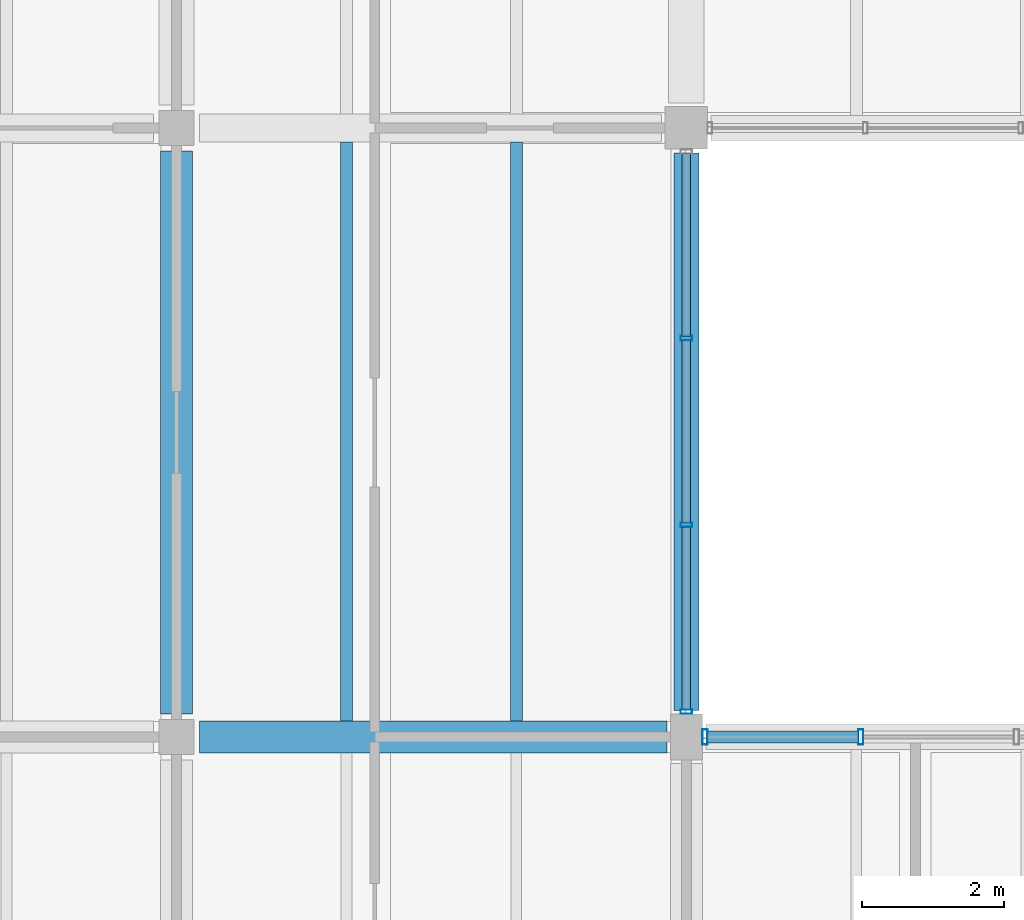
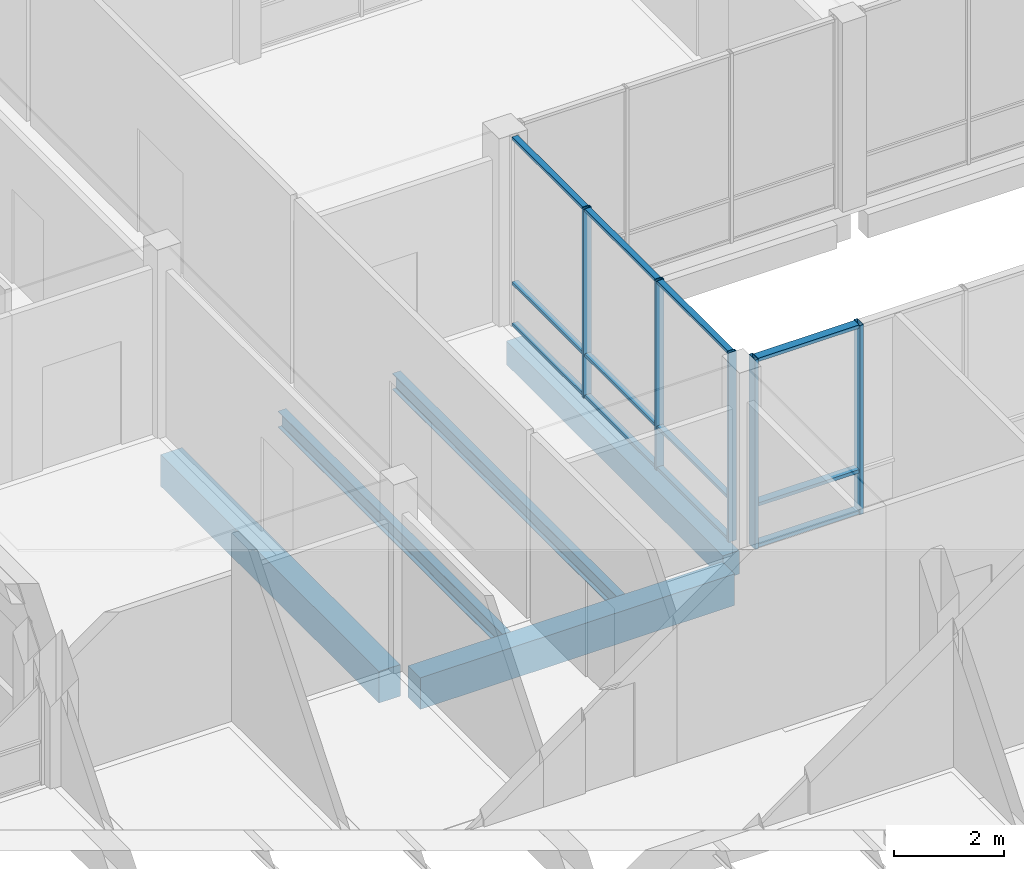
# One storey, part 14 of 104: 17 members, 5 beams, 2 elements without a shape of their own.
"""IFC4 building model written with IfcOpenShell, lengths in metres."""

from ifc_helpers import new_model, si_unit, direction, frame, origin, origin_2d, place, context, subcontext, project, spatial, rectangle, hollow_rectangle, i_section, extrude, material, material_profile, profile_set, type_object, element, aggregate, save


model = new_model("IFC4")

# Units and contexts
model_context = context("Model", 3, precision=1e-05, world=origin(), true_north=direction((0.0, 1.0)))
body_context = subcontext(model_context, "Body", "Model", "MODEL_VIEW")
ifc_project = project(units=[si_unit("LENGTHUNIT", "METRE"), si_unit("AREAUNIT", "SQUARE_METRE"), si_unit("VOLUMEUNIT", "CUBIC_METRE"), si_unit("PLANEANGLEUNIT", "RADIAN"), si_unit("MASSUNIT", "GRAM", prefix="KILO")], contexts=[model_context])

# Site, building, storey
site_placement = place(None, origin())
site = spatial("IfcSite", under=ifc_project, at=site_placement, CompositionType="ELEMENT")
building_placement = place(site_placement, origin())
building = spatial("IfcBuilding", under=site, at=building_placement, Name="Hawrajan Terrace Health Centre", CompositionType="ELEMENT")
storey_placement = place(building_placement, origin())
storey = spatial("IfcBuildingStorey", under=building, at=storey_placement, Name="L00", CompositionType="ELEMENT", Elevation=0.0)

# Curtain wall, members
ifc_material_1 = material(Name="Anodized bronze aluminium and low-E solar glazing", Category="aluminium")
curtain_wall_type_1 = type_object("IfcCurtainWallType", Name="CW_Court_SeriesA3", PredefinedType="USERDEFINED", material=ifc_material_1)
curtain_wall_1_placement = place(storey_placement, origin())
curtain_wall_1 = element("IfcCurtainWall", 1, at=curtain_wall_1_placement, inside=storey, type_object=curtain_wall_type_1, Name="Curtain wall CW-L00-003", ObjectType="UNITISED CURTAIN WALL", PredefinedType="USERDEFINED")
ifc_material_2 = material(Name="Anodized bronze aluminium 6063-T6", Category="aluminium")
ifc_material_profile_1 = material_profile(ifc_material_2, hollow_rectangle(XDim=0.06494140625, YDim=0.159912109375, WallThickness=0.00390625, at=origin_2d()), Name="CW MUL 65x160")
ifc_profile_set_1 = profile_set([ifc_material_profile_1], Name="Anodized bronze aluminium 6063-T6")
member_type_1 = type_object("IfcMemberType", Name="CWMullion_65x160", PredefinedType="MULLION", material=ifc_profile_set_1)
member_1_placement = place(storey_placement, frame((26.199951171875, 18.95751953125, -0.0048828125), z_axis=(0.0, 0.0, 1.0), x_axis=(0.0, 1.0, 0.0)))
member_1 = element("IfcMember", 2, at=member_1_placement, type_object=member_type_1, Name="Mullion CW-L00-003-M1", PredefinedType="MULLION", context=body_context, shape_type="SweptSolid", body=[
    extrude(hollow_rectangle(XDim=0.06494140625, YDim=0.159912109375, WallThickness=0.00390625, at=origin_2d()), origin(), (0.0, 0.0, 1.0), 4.2099609375),
])
member_2_placement = place(storey_placement, frame((26.199951171875, 21.59423828125, -0.0048828125), z_axis=(0.0, 0.0, 1.0), x_axis=(0.0, 1.0, 0.0)))
member_2 = element("IfcMember", 3, at=member_2_placement, type_object=member_type_1, Name="Mullion CW-L00-003-M2", PredefinedType="MULLION", context=body_context, shape_type="SweptSolid", body=[
    extrude(hollow_rectangle(XDim=0.06494140625, YDim=0.159912109375, WallThickness=0.00390625, at=origin_2d()), origin(), (0.0, 0.0, 1.0), 4.2099609375),
])
member_3_placement = place(storey_placement, frame((26.199951171875, 24.230712890625, -0.0048828125), z_axis=(0.0, 0.0, 1.0), x_axis=(0.0, 1.0, 0.0)))
member_3 = element("IfcMember", 4, at=member_3_placement, type_object=member_type_1, Name="Mullion CW-L00-003-M3", PredefinedType="MULLION", context=body_context, shape_type="SweptSolid", body=[
    extrude(hollow_rectangle(XDim=0.06494140625, YDim=0.159912109375, WallThickness=0.00390625, at=origin_2d()), origin(), (0.0, 0.0, 1.0), 4.2099609375),
])

curtain_wall_type_2 = type_object("IfcCurtainWallType", Name="CW_Court_SeriesB2", PredefinedType="USERDEFINED", material=ifc_material_1)
curtain_wall_2_placement = place(storey_placement, origin())
curtain_wall_2 = element("IfcCurtainWall", 5, at=curtain_wall_2_placement, inside=storey, type_object=curtain_wall_type_2, Name="Curtain wall CW-L00-005", ObjectType="UNITISED CURTAIN WALL", PredefinedType="USERDEFINED")
ifc_material_profile_2 = material_profile(ifc_material_2, hollow_rectangle(XDim=0.074951171875, YDim=0.219970703125, WallThickness=0.0048828125, at=origin_2d()), Name="CW MUL 75x220")
ifc_profile_set_2 = profile_set([ifc_material_profile_2], Name="Anodized bronze aluminium 6063-T6")
member_type_2 = type_object("IfcMemberType", Name="CWMullion_75x220", PredefinedType="MULLION", material=ifc_profile_set_2)
member_4_placement = place(storey_placement, frame((26.46240234375, 18.60009765625, -0.0048828125), z_axis=(0.0, 0.0, 1.0), x_axis=(1.0, 0.0, 0.0)))
member_4 = element("IfcMember", 6, at=member_4_placement, type_object=member_type_2, Name="Mullion CW-L00-005-M1", PredefinedType="MULLION", context=body_context, shape_type="SweptSolid", body=[
    extrude(hollow_rectangle(XDim=0.074951171875, YDim=0.219970703125, WallThickness=0.0048828125, at=origin_2d()), origin(), (0.0, 0.0, 1.0), 4.2099609375),
])
member_5_placement = place(storey_placement, frame((28.66259765625, 18.60009765625, -0.0048828125), z_axis=(0.0, 0.0, 1.0), x_axis=(1.0, 0.0, 0.0)))
member_5 = element("IfcMember", 7, at=member_5_placement, type_object=member_type_2, Name="Mullion CW-L00-005-M2", PredefinedType="MULLION", context=body_context, shape_type="SweptSolid", body=[
    extrude(hollow_rectangle(XDim=0.074951171875, YDim=0.219970703125, WallThickness=0.0048828125, at=origin_2d()), origin(), (0.0, 0.0, 1.0), 4.2099609375),
])

# Member
ifc_material_profile_3 = material_profile(ifc_material_2, hollow_rectangle(XDim=0.06494140625, YDim=0.1201171875, WallThickness=0.00341796875, at=origin_2d()), Name="CW TRN 65x120")
ifc_profile_set_3 = profile_set([ifc_material_profile_3], Name="Anodized bronze aluminium 6063-T6")
member_type_3 = type_object("IfcMemberType", Name="CWTransom_65x120", PredefinedType="USERDEFINED", material=ifc_profile_set_3)
member_6_placement = place(storey_placement, frame((26.199951171875, 18.98388671875, 0.032470703125), z_axis=(0.0, 1.0, 0.0), x_axis=(0.0, 0.0, 1.0)))
member_6 = element("IfcMember", 8, at=member_6_placement, type_object=member_type_3, Name="Transom CW-L00-003-T1-1", ObjectType="TRANSOM", PredefinedType="USERDEFINED", context=body_context, shape_type="SweptSolid", body=[
    extrude(hollow_rectangle(XDim=0.06494140625, YDim=0.1201171875, WallThickness=0.00341796875, at=origin_2d()), origin(), (0.0, 0.0, 1.0), 2.583740234375),
])

member_7_placement = place(storey_placement, frame((26.199951171875, 18.98388671875, 0.949951171875), z_axis=(0.0, 1.0, 0.0), x_axis=(0.0, 0.0, 1.0)))
member_7 = element("IfcMember", 9, at=member_7_placement, type_object=member_type_3, Name="Transom CW-L00-003-T1-2", ObjectType="TRANSOM", PredefinedType="USERDEFINED", context=body_context, shape_type="SweptSolid", body=[
    extrude(hollow_rectangle(XDim=0.06494140625, YDim=0.1201171875, WallThickness=0.00341796875, at=origin_2d()), origin(), (0.0, 0.0, 1.0), 2.583740234375),
])

member_8_placement = place(storey_placement, frame((26.199951171875, 18.98388671875, 4.16748046875), z_axis=(0.0, 1.0, 0.0), x_axis=(0.0, 0.0, 1.0)))
member_8 = element("IfcMember", 10, at=member_8_placement, type_object=member_type_3, Name="Transom CW-L00-003-T1-3", ObjectType="TRANSOM", PredefinedType="USERDEFINED", context=body_context, shape_type="SweptSolid", body=[
    extrude(hollow_rectangle(XDim=0.06494140625, YDim=0.1201171875, WallThickness=0.00341796875, at=origin_2d()), origin(), (0.0, 0.0, 1.0), 2.583740234375),
])

member_9_placement = place(storey_placement, frame((26.199951171875, 21.62060546875, 0.032470703125), z_axis=(0.0, 1.0, 0.0), x_axis=(0.0, 0.0, 1.0)))
member_9 = element("IfcMember", 11, at=member_9_placement, type_object=member_type_3, Name="Transom CW-L00-003-T2-1", ObjectType="TRANSOM", PredefinedType="USERDEFINED", context=body_context, shape_type="SweptSolid", body=[
    extrude(hollow_rectangle(XDim=0.06494140625, YDim=0.1201171875, WallThickness=0.00341796875, at=origin_2d()), origin(), (0.0, 0.0, 1.0), 2.583740234375),
])

member_10_placement = place(storey_placement, frame((26.199951171875, 21.62060546875, 0.949951171875), z_axis=(0.0, 1.0, 0.0), x_axis=(0.0, 0.0, 1.0)))
member_10 = element("IfcMember", 12, at=member_10_placement, type_object=member_type_3, Name="Transom CW-L00-003-T2-2", ObjectType="TRANSOM", PredefinedType="USERDEFINED", context=body_context, shape_type="SweptSolid", body=[
    extrude(hollow_rectangle(XDim=0.06494140625, YDim=0.1201171875, WallThickness=0.00341796875, at=origin_2d()), origin(), (0.0, 0.0, 1.0), 2.583740234375),
])

member_11_placement = place(storey_placement, frame((26.199951171875, 21.62060546875, 4.16748046875), z_axis=(0.0, 1.0, 0.0), x_axis=(0.0, 0.0, 1.0)))
member_11 = element("IfcMember", 13, at=member_11_placement, type_object=member_type_3, Name="Transom CW-L00-003-T2-3", ObjectType="TRANSOM", PredefinedType="USERDEFINED", context=body_context, shape_type="SweptSolid", body=[
    extrude(hollow_rectangle(XDim=0.06494140625, YDim=0.1201171875, WallThickness=0.00341796875, at=origin_2d()), origin(), (0.0, 0.0, 1.0), 2.583740234375),
])

member_12_placement = place(storey_placement, frame((26.199951171875, 24.25732421875, 0.032470703125), z_axis=(0.0, 1.0, 0.0), x_axis=(0.0, 0.0, 1.0)))
member_12 = element("IfcMember", 14, at=member_12_placement, type_object=member_type_3, Name="Transom CW-L00-003-T3-1", ObjectType="TRANSOM", PredefinedType="USERDEFINED", context=body_context, shape_type="SweptSolid", body=[
    extrude(hollow_rectangle(XDim=0.06494140625, YDim=0.1201171875, WallThickness=0.00341796875, at=origin_2d()), origin(), (0.0, 0.0, 1.0), 2.583740234375),
])

member_13_placement = place(storey_placement, frame((26.199951171875, 24.25732421875, 0.949951171875), z_axis=(0.0, 1.0, 0.0), x_axis=(0.0, 0.0, 1.0)))
member_13 = element("IfcMember", 15, at=member_13_placement, type_object=member_type_3, Name="Transom CW-L00-003-T3-2", ObjectType="TRANSOM", PredefinedType="USERDEFINED", context=body_context, shape_type="SweptSolid", body=[
    extrude(hollow_rectangle(XDim=0.06494140625, YDim=0.1201171875, WallThickness=0.00341796875, at=origin_2d()), origin(), (0.0, 0.0, 1.0), 2.583740234375),
])

member_14_placement = place(storey_placement, frame((26.199951171875, 24.25732421875, 4.16748046875), z_axis=(0.0, 1.0, 0.0), x_axis=(0.0, 0.0, 1.0)))
member_14 = element("IfcMember", 16, at=member_14_placement, type_object=member_type_3, Name="Transom CW-L00-003-T3-3", ObjectType="TRANSOM", PredefinedType="USERDEFINED", context=body_context, shape_type="SweptSolid", body=[
    extrude(hollow_rectangle(XDim=0.06494140625, YDim=0.1201171875, WallThickness=0.00341796875, at=origin_2d()), origin(), (0.0, 0.0, 1.0), 2.583740234375),
])

aggregate(curtain_wall_1, [member_1, member_2, member_3, member_6, member_7, member_8, member_9, member_10, member_11, member_12, member_13, member_14])

ifc_material_profile_4 = material_profile(ifc_material_2, hollow_rectangle(XDim=0.074951171875, YDim=0.169921875, WallThickness=0.00439453125, at=origin_2d()), Name="CW TRN 75x170")
ifc_profile_set_4 = profile_set([ifc_material_profile_4], Name="Anodized bronze aluminium 6063-T6")
member_type_4 = type_object("IfcMemberType", Name="CWTransom_75x170", PredefinedType="USERDEFINED", material=ifc_profile_set_4)
member_15_placement = place(storey_placement, frame((26.493896484375, 18.60009765625, 0.03759765625), z_axis=(1.0, 0.0, 0.0), x_axis=(0.0, 0.0, 1.0)))
member_15 = element("IfcMember", 17, at=member_15_placement, type_object=member_type_4, Name="Transom CW-L00-005-T1-1", ObjectType="TRANSOM", PredefinedType="USERDEFINED", context=body_context, shape_type="SweptSolid", body=[
    extrude(hollow_rectangle(XDim=0.074951171875, YDim=0.169921875, WallThickness=0.00439453125, at=origin_2d()), origin(), (0.0, 0.0, 1.0), 2.13720703125),
])

member_16_placement = place(storey_placement, frame((26.493896484375, 18.60009765625, 0.949951171875), z_axis=(1.0, 0.0, 0.0), x_axis=(0.0, 0.0, 1.0)))
member_16 = element("IfcMember", 18, at=member_16_placement, type_object=member_type_4, Name="Transom CW-L00-005-T1-2", ObjectType="TRANSOM", PredefinedType="USERDEFINED", context=body_context, shape_type="SweptSolid", body=[
    extrude(hollow_rectangle(XDim=0.074951171875, YDim=0.169921875, WallThickness=0.00439453125, at=origin_2d()), origin(), (0.0, 0.0, 1.0), 2.13720703125),
])

member_17_placement = place(storey_placement, frame((26.493896484375, 18.60009765625, 4.16259765625), z_axis=(1.0, 0.0, 0.0), x_axis=(0.0, 0.0, 1.0)))
member_17 = element("IfcMember", 19, at=member_17_placement, type_object=member_type_4, Name="Transom CW-L00-005-T1-3", ObjectType="TRANSOM", PredefinedType="USERDEFINED", context=body_context, shape_type="SweptSolid", body=[
    extrude(hollow_rectangle(XDim=0.074951171875, YDim=0.169921875, WallThickness=0.00439453125, at=origin_2d()), origin(), (0.0, 0.0, 1.0), 2.13720703125),
])

aggregate(curtain_wall_2, [member_4, member_5, member_15, member_16, member_17])

# Beams
ifc_material_3 = material(Name="Concrete C40/50", Category="concrete")
ifc_material_profile_5 = material_profile(ifc_material_3, rectangle(XDim=0.449951171875, YDim=0.699951171875, at=origin_2d()), Name="RC BM 450x700")
ifc_profile_set_5 = profile_set([ifc_material_profile_5], Name="Concrete C40/50")
beam_type_1 = type_object("IfcBeamType", Name="RCGirder_450x700", PredefinedType="BEAM", material=ifc_profile_set_5)
beam_1_placement = place(storey_placement, frame((19.324951171875, 18.60009765625, -0.64990234375), z_axis=(1.0, 0.0, 0.0), x_axis=(0.0, 1.0, 0.0)))
element("IfcBeam", 20, at=beam_1_placement, inside=storey, type_object=beam_type_1, Name="Beam BM-X-L00-W-03-Y3", PredefinedType="BEAM", context=body_context, shape_type="SweptSolid", body=[
    extrude(rectangle(XDim=0.449951171875, YDim=0.699951171875, at=origin_2d()), origin(), (0.0, 0.0, 1.0), 6.60009765625),
])
beam_2_placement = place(storey_placement, frame((19.0, 18.925048828125, -0.64990234375), z_axis=(0.0, 1.0, 0.0), x_axis=(-1.0, 0.0, 0.0)))
element("IfcBeam", 21, at=beam_2_placement, inside=storey, type_object=beam_type_1, Name="Beam BM-Y-L00-W-X03-3", PredefinedType="BEAM", context=body_context, shape_type="SweptSolid", body=[
    extrude(rectangle(XDim=0.449951171875, YDim=0.699951171875, at=origin_2d()), origin(), (0.0, 0.0, 1.0), 7.949951171875),
])
ifc_material_profile_6 = material_profile(ifc_material_3, rectangle(XDim=0.35009765625, YDim=0.52001953125, at=origin_2d()), Name="RC SP 350x520")
ifc_profile_set_6 = profile_set([ifc_material_profile_6], Name="Concrete C40/50")
beam_type_2 = type_object("IfcBeamType", Name="RCSpandrel_350x520", PredefinedType="SPANDREL", material=ifc_profile_set_6)
beam_3_placement = place(storey_placement, frame((26.199951171875, 18.97509765625, -0.56005859375), z_axis=(0.0, 1.0, 0.0), x_axis=(-1.0, 0.0, 0.0)))
element("IfcBeam", 22, at=beam_3_placement, inside=storey, type_object=beam_type_2, Name="Beam BM-Y-L00-W-X04-3", PredefinedType="SPANDREL", context=body_context, shape_type="SweptSolid", body=[
    extrude(rectangle(XDim=0.35009765625, YDim=0.52001953125, at=origin_2d()), origin(), (0.0, 0.0, 1.0), 7.875),
])
ifc_material_4 = material(Name="Steel S355", Category="steel")
ifc_material_profile_7 = material_profile(ifc_material_4, i_section(OverallWidth=0.169921875, OverallDepth=0.360107421875, WebThickness=0.008056640625, FlangeThickness=0.0126953125, FilletRadius=0.01806640625, at=origin_2d()), Name="IPE 360")
ifc_profile_set_7 = profile_set([ifc_material_profile_7], Name="Steel S355")
beam_type_3 = type_object("IfcBeamType", Name="SteelBeam_IPE360", PredefinedType="BEAM", material=ifc_profile_set_7)
for number, where, z_axis, x_axis, name in (
    (23, (21.39990234375, 18.824951171875, -0.47998046875), (0.0, 1.0, 0.0), (-1.0, 0.0, 0.0), "Secondary joist JST-L00-W-03-3-1"),
    (24, (23.800048828125, 18.824951171875, -0.47998046875), (0.0, 1.0, 0.0), (-1.0, 0.0, 0.0), "Secondary joist JST-L00-W-03-3-2"),
):
    element("IfcBeam", number, at=place(storey_placement, frame(where, z_axis=z_axis, x_axis=x_axis)), inside=storey, type_object=beam_type_3, Name=name, PredefinedType="BEAM", context=body_context, shape_type="SweptSolid", body=[
        extrude(i_section(OverallWidth=0.169921875, OverallDepth=0.360107421875, WebThickness=0.008056640625, FlangeThickness=0.0126953125, FilletRadius=0.01806640625, at=origin_2d()), origin(), (0.0, 0.0, 1.0), 8.175048828125),
    ])

save(model, "model.ifc")
